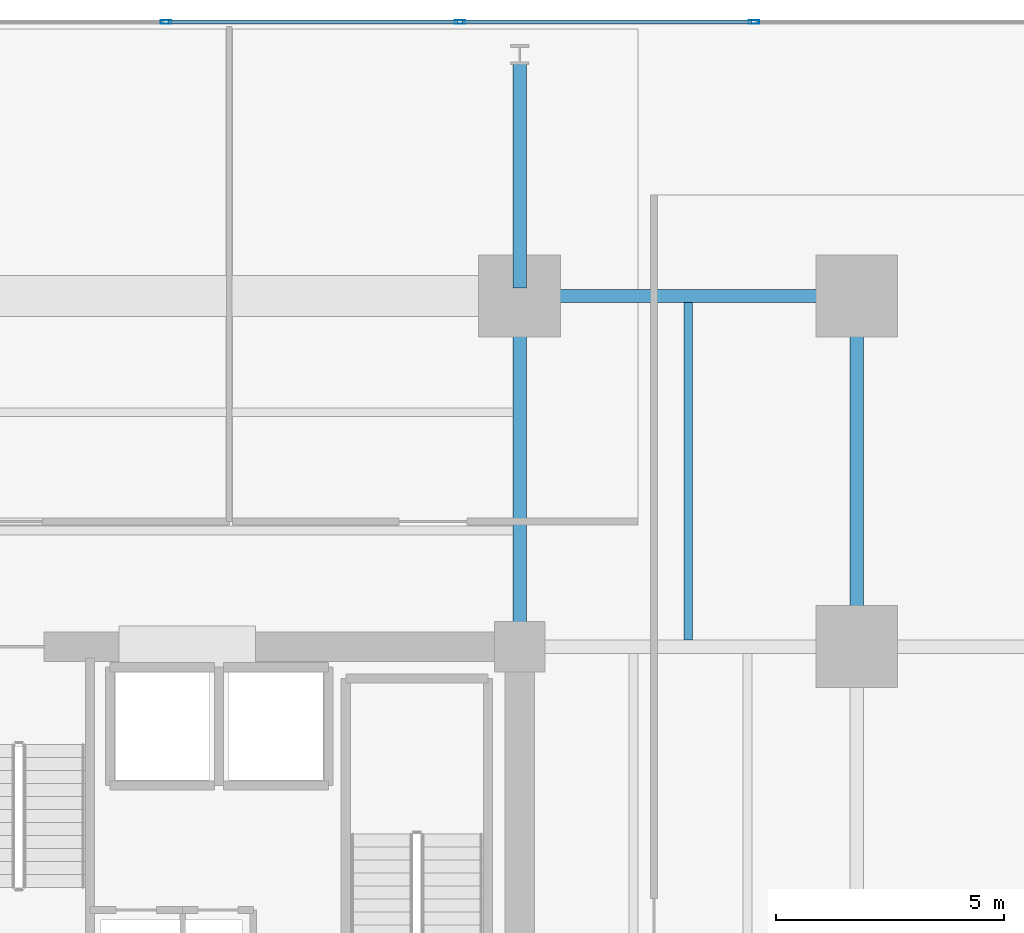
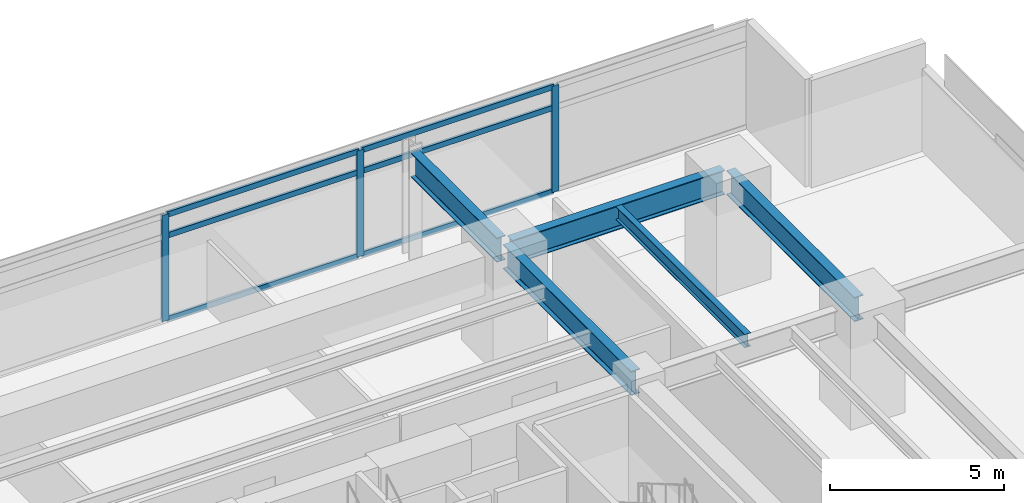
# One storey, part 12 of 22: 9 members, 5 beams, 1 element without a shape of its own.
"""IFC4 building model written with IfcOpenShell, lengths in metres."""

from ifc_helpers import new_model, si_unit, direction, frame, origin, origin_2d, place, context, subcontext, project, spatial, hollow_rectangle, i_section, extrude, material, material_profile, profile_set, type_object, element, aggregate, save


model = new_model("IFC4")

# Units and contexts
model_context = context("Model", 3, precision=1e-05, world=origin(), true_north=direction((0.0, 1.0)))
body_context = subcontext(model_context, "Body", "Model", "MODEL_VIEW")
ifc_project = project(units=[si_unit("LENGTHUNIT", "METRE"), si_unit("AREAUNIT", "SQUARE_METRE"), si_unit("VOLUMEUNIT", "CUBIC_METRE"), si_unit("PLANEANGLEUNIT", "RADIAN"), si_unit("MASSUNIT", "GRAM", prefix="KILO")], contexts=[model_context])

# Site, building, storey
site_placement = place(None, origin())
site = spatial("IfcSite", under=ifc_project, at=site_placement, CompositionType="ELEMENT")
building_placement = place(site_placement, origin())
building = spatial("IfcBuilding", under=site, at=building_placement, Name="Kovane Verandah Tower", CompositionType="ELEMENT")
storey_placement = place(building_placement, frame((0.0, 0.0, 99.60009765625)))
storey = spatial("IfcBuildingStorey", under=building, at=storey_placement, Name="L23", CompositionType="ELEMENT", Elevation=99.60009765625)

# Beams
ifc_material_1 = material(Name="Steel S355", Category="steel")
ifc_material_profile_1 = material_profile(ifc_material_1, i_section(OverallWidth=0.293701171875, OverallDepth=0.850830078125, WebThickness=0.01611328125, FlangeThickness=0.02685546875, FilletRadius=0.017822265625, at=origin_2d()), Name="UB838x292x226")
ifc_profile_set_1 = profile_set([ifc_material_profile_1], Name="Steel S355")
beam_type_1 = type_object("IfcBeamType", Name="BM-UB838x226", PredefinedType="BEAM", material=ifc_profile_set_1)
beam_1_placement = place(storey_placement, frame((51.179931640625, 44.199951171875, 3.33447265625), z_axis=(1.0, 0.0, 0.0), x_axis=(0.0, 1.0, 0.0)))
element("IfcBeam", 1, at=beam_1_placement, inside=storey, type_object=beam_type_1, Name="L23 Primary Tower Girder G-RN3", PredefinedType="BEAM", context=body_context, shape_type="SweptSolid", body=[
    extrude(i_section(OverallWidth=0.293701171875, OverallDepth=0.850830078125, WebThickness=0.01611328125, FlangeThickness=0.02685546875, FilletRadius=0.017822265625, at=origin_2d()), origin(), (0.0, 0.0, 1.0), 7.0400390625),
])
for number, where, z_axis, x_axis, name in (
    (2, (58.39990234375, 36.679931640625, 3.33447265625), (0.0, 1.0, 0.0), (-1.0, 0.0, 0.0), "L23 Primary Tower Girder G-RE3"),
    (3, (51.0, 36.679931640625, 3.33447265625), (0.0, 1.0, 0.0), (-1.0, 0.0, 0.0), "L23 Primary Tower Girder G-N2"),
):
    element("IfcBeam", number, at=place(storey_placement, frame(where, z_axis=z_axis, x_axis=x_axis)), inside=storey, type_object=beam_type_1, Name=name, PredefinedType="BEAM", context=body_context, shape_type="SweptSolid", body=[
        extrude(i_section(OverallWidth=0.293701171875, OverallDepth=0.850830078125, WebThickness=0.01611328125, FlangeThickness=0.02685546875, FilletRadius=0.017822265625, at=origin_2d()), origin(), (0.0, 0.0, 1.0), 7.340087890625),
    ])
beam_2_placement = place(storey_placement, frame((51.0, 44.3798828125, 3.33447265625), z_axis=(0.0, 1.0, 0.0), x_axis=(-1.0, 0.0, 0.0)))
element("IfcBeam", 4, at=beam_2_placement, inside=storey, type_object=beam_type_1, Name="L23 Primary Tower Girder G-VN2", PredefinedType="BEAM", context=body_context, shape_type="SweptSolid", body=[
    extrude(i_section(OverallWidth=0.293701171875, OverallDepth=0.850830078125, WebThickness=0.01611328125, FlangeThickness=0.02685546875, FilletRadius=0.017822265625, at=origin_2d()), origin(), (0.0, 0.0, 1.0), 4.940185546875),
])

# Curtain wall, members
ifc_material_2 = material(Name="Champagne Anodised Aluminium Frame with Low-E Clear Laminated Glass", Category="aluminium")
curtain_wall_type = type_object("IfcCurtainWallType", Name="CW-SYS-02-LOW", PredefinedType="NOTDEFINED", material=ifc_material_2)
curtain_wall_placement = place(storey_placement, origin())
curtain_wall = element("IfcCurtainWall", 5, at=curtain_wall_placement, inside=storey, type_object=curtain_wall_type, Name="L23 N Unitised Curtain Wall", PredefinedType="NOTDEFINED")
ifc_material_3 = material(Name="Champagne Anodised Aluminium 6063-T6", Category="aluminium")
ifc_material_profile_2 = material_profile(ifc_material_3, hollow_rectangle(XDim=0.0849609375, YDim=0.22998046875, WallThickness=0.00390625, at=origin_2d()), Name="AL85x230x4")
ifc_profile_set_2 = profile_set([ifc_material_profile_2], Name="Champagne Anodised Aluminium 6063-T6")
member_type_1 = type_object("IfcMemberType", Name="CW-MUL-85x230", PredefinedType="MULLION", material=ifc_profile_set_2)
member_1_placement = place(storey_placement, frame((56.141845703125, 50.218994140625, 0.02001953125), z_axis=(0.0, 0.0, 1.0), x_axis=(0.0, 1.0, 0.0)))
member_1 = element("IfcMember", 6, at=member_1_placement, type_object=member_type_1, Name="L23 N Unitised Curtain Wall Mullion 2", PredefinedType="MULLION", context=body_context, shape_type="SweptSolid", body=[
    extrude(hollow_rectangle(XDim=0.0849609375, YDim=0.22998046875, WallThickness=0.00390625, at=origin_2d()), origin(), (0.0, 0.0, 1.0), 3.719970703125),
])
member_2_placement = place(storey_placement, frame((49.68505859375, 50.218994140625, 0.02001953125), z_axis=(0.0, 0.0, 1.0), x_axis=(0.0, 1.0, 0.0)))
member_2 = element("IfcMember", 7, at=member_2_placement, type_object=member_type_1, Name="L23 N Unitised Curtain Wall Mullion 3", PredefinedType="MULLION", context=body_context, shape_type="SweptSolid", body=[
    extrude(hollow_rectangle(XDim=0.0849609375, YDim=0.22998046875, WallThickness=0.00390625, at=origin_2d()), origin(), (0.0, 0.0, 1.0), 3.719970703125),
])
member_3_placement = place(storey_placement, frame((43.228515625, 50.218994140625, 0.02001953125), z_axis=(0.0, 0.0, 1.0), x_axis=(0.0, 1.0, 0.0)))
member_3 = element("IfcMember", 8, at=member_3_placement, type_object=member_type_1, Name="L23 N Unitised Curtain Wall Mullion 4", PredefinedType="MULLION", context=body_context, shape_type="SweptSolid", body=[
    extrude(hollow_rectangle(XDim=0.0849609375, YDim=0.22998046875, WallThickness=0.00390625, at=origin_2d()), origin(), (0.0, 0.0, 1.0), 3.719970703125),
])
ifc_material_profile_3 = material_profile(ifc_material_3, hollow_rectangle(XDim=0.0849609375, YDim=0.18994140625, WallThickness=0.00390625, at=origin_2d()), Name="AL85x190x4")
ifc_profile_set_3 = profile_set([ifc_material_profile_3], Name="Champagne Anodised Aluminium 6063-T6")
member_type_2 = type_object("IfcMemberType", Name="CW-TRN-85x190", PredefinedType="USERDEFINED", material=ifc_profile_set_3)
member_4_placement = place(storey_placement, frame((56.091796875, 50.218994140625, 0.0498046875), z_axis=(-1.0, 0.0, 0.0), x_axis=(0.0, -1.0, 0.0)))
member_4 = element("IfcMember", 9, at=member_4_placement, type_object=member_type_2, Name="L23 N Unitised Curtain Wall Transom TB Bay 2", ObjectType="TRANSOM", PredefinedType="USERDEFINED", context=body_context, shape_type="SweptSolid", body=[
    extrude(hollow_rectangle(XDim=0.0849609375, YDim=0.18994140625, WallThickness=0.00390625, at=origin_2d()), origin(), (0.0, 0.0, 1.0), 6.356689453125),
])
member_5_placement = place(storey_placement, frame((56.091796875, 50.218994140625, 2.97998046875), z_axis=(-1.0, 0.0, 0.0), x_axis=(0.0, -1.0, 0.0)))
member_5 = element("IfcMember", 10, at=member_5_placement, type_object=member_type_2, Name="L23 N Unitised Curtain Wall Transom TM Bay 2", ObjectType="TRANSOM", PredefinedType="USERDEFINED", context=body_context, shape_type="SweptSolid", body=[
    extrude(hollow_rectangle(XDim=0.0849609375, YDim=0.18994140625, WallThickness=0.00390625, at=origin_2d()), origin(), (0.0, 0.0, 1.0), 6.356689453125),
])
member_6_placement = place(storey_placement, frame((56.091796875, 50.218994140625, 3.7099609375), z_axis=(-1.0, 0.0, 0.0), x_axis=(0.0, -1.0, 0.0)))
member_6 = element("IfcMember", 11, at=member_6_placement, type_object=member_type_2, Name="L23 N Unitised Curtain Wall Transom TT Bay 2", ObjectType="TRANSOM", PredefinedType="USERDEFINED", context=body_context, shape_type="SweptSolid", body=[
    extrude(hollow_rectangle(XDim=0.0849609375, YDim=0.18994140625, WallThickness=0.00390625, at=origin_2d()), origin(), (0.0, 0.0, 1.0), 6.356689453125),
])
member_7_placement = place(storey_placement, frame((49.635009765625, 50.218994140625, 0.0498046875), z_axis=(-1.0, 0.0, 0.0), x_axis=(0.0, -1.0, 0.0)))
member_7 = element("IfcMember", 12, at=member_7_placement, type_object=member_type_2, Name="L23 N Unitised Curtain Wall Transom TB Bay 3", ObjectType="TRANSOM", PredefinedType="USERDEFINED", context=body_context, shape_type="SweptSolid", body=[
    extrude(hollow_rectangle(XDim=0.0849609375, YDim=0.18994140625, WallThickness=0.00390625, at=origin_2d()), origin(), (0.0, 0.0, 1.0), 6.356689453125),
])
member_8_placement = place(storey_placement, frame((49.635009765625, 50.218994140625, 2.97998046875), z_axis=(-1.0, 0.0, 0.0), x_axis=(0.0, -1.0, 0.0)))
member_8 = element("IfcMember", 13, at=member_8_placement, type_object=member_type_2, Name="L23 N Unitised Curtain Wall Transom TM Bay 3", ObjectType="TRANSOM", PredefinedType="USERDEFINED", context=body_context, shape_type="SweptSolid", body=[
    extrude(hollow_rectangle(XDim=0.0849609375, YDim=0.18994140625, WallThickness=0.00390625, at=origin_2d()), origin(), (0.0, 0.0, 1.0), 6.356689453125),
])
member_9_placement = place(storey_placement, frame((49.635009765625, 50.218994140625, 3.7099609375), z_axis=(-1.0, 0.0, 0.0), x_axis=(0.0, -1.0, 0.0)))
member_9 = element("IfcMember", 14, at=member_9_placement, type_object=member_type_2, Name="L23 N Unitised Curtain Wall Transom TT Bay 3", ObjectType="TRANSOM", PredefinedType="USERDEFINED", context=body_context, shape_type="SweptSolid", body=[
    extrude(hollow_rectangle(XDim=0.0849609375, YDim=0.18994140625, WallThickness=0.00390625, at=origin_2d()), origin(), (0.0, 0.0, 1.0), 6.356689453125),
])
aggregate(curtain_wall, [member_1, member_2, member_3, member_4, member_5, member_6, member_7, member_8, member_9])

# Beam
ifc_material_profile_4 = material_profile(ifc_material_1, i_section(OverallWidth=0.19287109375, OverallDepth=0.46728515625, WebThickness=0.011474609375, FlangeThickness=0.01953125, FilletRadius=0.01025390625, at=origin_2d()), Name="UB457x191x98")
ifc_profile_set_4 = profile_set([ifc_material_profile_4], Name="Steel S355")
beam_type_2 = type_object("IfcBeamType", Name="JST-UB457x98", PredefinedType="JOIST", material=ifc_profile_set_4)
beam_3_placement = place(storey_placement, frame((54.699951171875, 36.64501953125, 3.5263671875), z_axis=(0.0, 1.0, 0.0), x_axis=(-1.0, 0.0, 0.0)))
element("IfcBeam", 15, at=beam_3_placement, inside=storey, type_object=beam_type_2, Name="L23 Secondary Composite Joist J-NE1", PredefinedType="JOIST", context=body_context, shape_type="SweptSolid", body=[
    extrude(i_section(OverallWidth=0.19287109375, OverallDepth=0.46728515625, WebThickness=0.011474609375, FlangeThickness=0.01953125, FilletRadius=0.01025390625, at=origin_2d()), origin(), (0.0, 0.0, 1.0), 7.41015625),
])

save(model, "model.ifc")
